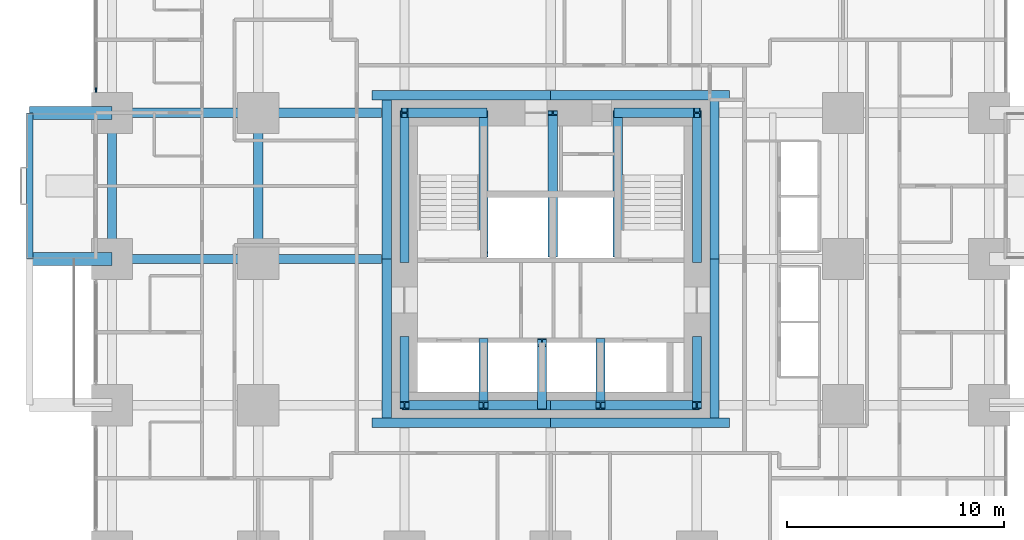
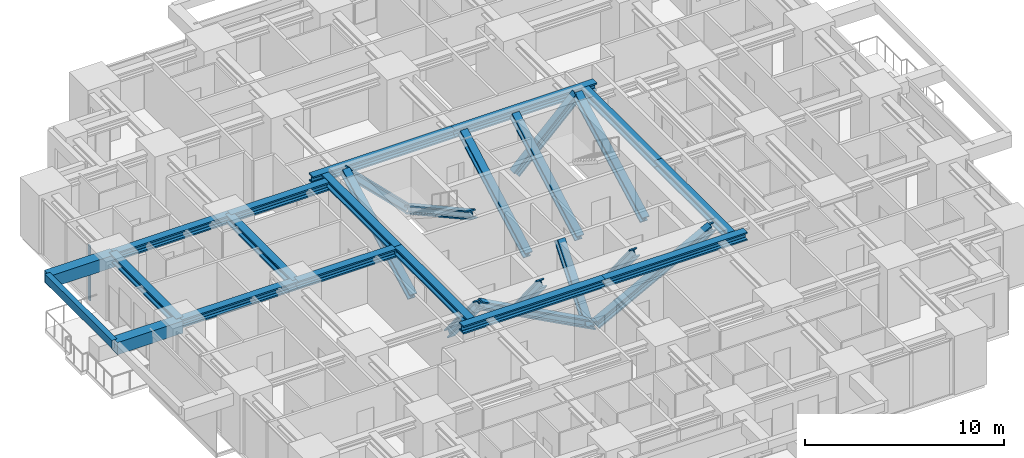
# One storey, part 3 of 14: 17 beams, 15 members, 1 element without a shape of its own.
"""IFC4 building model written with IfcOpenShell, lengths in metres."""

from ifc_helpers import new_model, si_unit, direction, frame, origin, origin_2d, place, context, subcontext, project, spatial, rectangle, i_section, extrude, material, material_profile, profile_set, type_object, element, aggregate, save


model = new_model("IFC4")

# Units and contexts
model_context = context("Model", 3, precision=1e-05, world=origin(), true_north=direction((0.0, 1.0)))
body_context = subcontext(model_context, "Body", "Model", "MODEL_VIEW")
ifc_project = project(units=[si_unit("LENGTHUNIT", "METRE"), si_unit("AREAUNIT", "SQUARE_METRE"), si_unit("VOLUMEUNIT", "CUBIC_METRE"), si_unit("PLANEANGLEUNIT", "RADIAN"), si_unit("MASSUNIT", "GRAM", prefix="KILO")], contexts=[model_context])

# Site, building, storey
site_placement = place(None, origin())
site = spatial("IfcSite", under=ifc_project, at=site_placement, CompositionType="ELEMENT")
building_placement = place(site_placement, origin())
building = spatial("IfcBuilding", under=site, at=building_placement, Name="Nyansa Garden Tower", CompositionType="ELEMENT")
storey_placement = place(building_placement, frame((0.0, 0.0, 43.199951171875)))
storey = spatial("IfcBuildingStorey", under=building, at=storey_placement, Name="L11", CompositionType="ELEMENT", Elevation=43.199951171875)

# Beams
ifc_material_1 = material(Name="Concrete C70/85", Category="concrete")
ifc_material_profile_1 = material_profile(ifc_material_1, rectangle(XDim=0.60009765625, YDim=0.75, at=origin_2d()), Name="RC 600x750")
ifc_profile_set_1 = profile_set([ifc_material_profile_1], Name="Concrete C70/85")
beam_type_1 = type_object("IfcBeamType", Name="Balcony cantilever beam CB1 RC 600x750", PredefinedType="BEAM", material=ifc_profile_set_1)
for number, where, z_axis, x_axis, name in (
    (1, (0.0, 20.25, 2.985107421875), (-1.0, 0.0, 0.0), (0.0, -1.0, 0.0), "Balcony cantilever beam L12"),
    (2, (0.0, 27.0, 2.985107421875), (-1.0, 0.0, 0.0), (0.0, -1.0, 0.0), "Balcony cantilever beam L12"),
):
    element("IfcBeam", number, at=place(storey_placement, frame(where, z_axis=z_axis, x_axis=x_axis)), inside=storey, type_object=beam_type_1, Name=name, PredefinedType="BEAM", context=body_context, shape_type="SweptSolid", body=[
        extrude(rectangle(XDim=0.60009765625, YDim=0.75, at=origin_2d()), origin(), (0.0, 0.0, 1.0), 3.800048828125),
    ])
ifc_material_2 = material(Name="Concrete C70/85", Category="concrete")
ifc_material_profile_2 = material_profile(ifc_material_2, rectangle(XDim=0.300048828125, YDim=0.5, at=origin_2d()), Name="RC 300x500")
ifc_profile_set_2 = profile_set([ifc_material_profile_2], Name="Concrete C70/85")
beam_type_2 = type_object("IfcBeamType", Name="Balcony edge beam BE1 RC 300x500", PredefinedType="BEAM", material=ifc_profile_set_2)
beam_1_placement = place(storey_placement, frame((-3.800048828125, 20.25, 3.110107421875), z_axis=(0.0, 1.0, 0.0), x_axis=(-1.0, 0.0, 0.0)))
element("IfcBeam", 3, at=beam_1_placement, inside=storey, type_object=beam_type_2, Name="Balcony edge beam L12", PredefinedType="BEAM", context=body_context, shape_type="SweptSolid", body=[
    extrude(rectangle(XDim=0.300048828125, YDim=0.5, at=origin_2d()), origin(), (0.0, 0.0, 1.0), 6.75),
])

# Curtain wall, member
ifc_material_3 = material(Name="Black anodised aluminium, dark tinted double glazing", Category="aluminium")
curtain_wall_type = type_object("IfcCurtainWallType", Name="Inner skin curtain wall ISW-A", PredefinedType="USERDEFINED", material=ifc_material_3)
curtain_wall_placement = place(storey_placement, origin())
curtain_wall = element("IfcCurtainWall", 4, at=curtain_wall_placement, inside=storey, type_object=curtain_wall_type, Name="Inner skin curtain wall L11 W", ObjectType="UNITISED CURTAIN WALL", PredefinedType="USERDEFINED")
ifc_material_4 = material(Name="Black anodised aluminium", Category="aluminium")
ifc_material_profile_3 = material_profile(ifc_material_4, rectangle(XDim=0.06494140625, YDim=0.199951171875, at=origin_2d()), Name="Mullion 200x65")
ifc_profile_set_3 = profile_set([ifc_material_profile_3], Name="Black anodised aluminium")
member_type_1 = type_object("IfcMemberType", Name="Mullion ISW-A 200x65", PredefinedType="MULLION", material=ifc_profile_set_3)
member_1_placement = place(storey_placement, frame((-0.75, 28.050048828125, 0.0), z_axis=(0.0, 0.0, 1.0), x_axis=(1.0, 0.0, 0.0)))
member_1 = element("IfcMember", 5, at=member_1_placement, type_object=member_type_1, Name="ISW-A mullion 3", PredefinedType="MULLION", context=body_context, shape_type="SweptSolid", body=[
    extrude(rectangle(XDim=0.06494140625, YDim=0.199951171875, at=origin_2d()), origin(), (0.0, 0.0, 1.0), 3.375),
])
aggregate(curtain_wall, [member_1])

# Members
ifc_material_5 = material(Name="Steel S355", Category="steel")
ifc_material_profile_4 = material_profile(ifc_material_5, i_section(OverallWidth=0.424072265625, OverallDepth=0.47412109375, WebThickness=0.047607421875, FlangeThickness=0.076904296875, FilletRadius=0.014892578125, at=origin_2d()), Name="HD 400x634")
ifc_profile_set_4 = profile_set([ifc_material_profile_4], Name="Steel S355")
member_type_2 = type_object("IfcMemberType", Name="Perimeter brace HD 400x634", PredefinedType="BRACE", material=ifc_profile_set_4)
for number, where, z_axis, x_axis, name in (
    (6, (20.25, 13.5, 0.0), (-0.882347640589, 0.0, 0.47059817376), (0.0, -1.0, 0.0), "Core brace CS1 L11"),
    (7, (20.25, 13.5, 0.0), (0.882347640589, 0.0, 0.47059817376), (0.0, 1.0, 0.0), "Core brace CS2 L11"),
):
    element("IfcMember", number, at=place(storey_placement, frame(where, z_axis=z_axis, x_axis=x_axis)), inside=storey, type_object=member_type_2, Name=name, PredefinedType="BRACE", context=body_context, shape_type="SweptSolid", body=[
        extrude(i_section(OverallWidth=0.424072265625, OverallDepth=0.47412109375, WebThickness=0.047607421875, FlangeThickness=0.076904296875, FilletRadius=0.014892578125, at=origin_2d()), origin(), (0.0, 0.0, 1.0), 7.650146484375),
    ])
for number, where, z_axis, x_axis, name in (
    (8, (17.14990234375, 27.0, 0.0), (-0.711947531702, 0.0, 0.702232662373), (0.0, -1.0, 0.0), "Core brace CN3 L11"),
    (9, (23.35009765625, 27.0, 0.0), (0.711947531702, 0.0, 0.702232662373), (0.0, 1.0, 0.0), "Core brace CN4 L11"),
):
    element("IfcMember", number, at=place(storey_placement, frame(where, z_axis=z_axis, x_axis=x_axis)), inside=storey, type_object=member_type_2, Name=name, PredefinedType="BRACE", context=body_context, shape_type="SweptSolid", body=[
        extrude(i_section(OverallWidth=0.424072265625, OverallDepth=0.47412109375, WebThickness=0.047607421875, FlangeThickness=0.076904296875, FilletRadius=0.014892578125, at=origin_2d()), origin(), (0.0, 0.0, 1.0), 5.126708984375),
    ])
member_2_placement = place(storey_placement, frame((13.5, 16.5, 0.0), z_axis=(0.0, -0.640174150918, 0.768229820104), x_axis=(1.0, 0.0, 0.0)))
element("IfcMember", 10, at=member_2_placement, inside=storey, type_object=member_type_2, Name="Core brace CW5 L11", PredefinedType="BRACE", context=body_context, shape_type="SweptSolid", body=[
    extrude(i_section(OverallWidth=0.424072265625, OverallDepth=0.47412109375, WebThickness=0.047607421875, FlangeThickness=0.076904296875, FilletRadius=0.014892578125, at=origin_2d()), origin(), (0.0, 0.0, 1.0), 4.686279296875),
])
member_3_placement = place(storey_placement, frame((13.5, 20.199951171875, 0.0), z_axis=(0.0, 0.883784057226, 0.467895009796), x_axis=(-1.0, 0.0, 0.0)))
element("IfcMember", 11, at=member_3_placement, inside=storey, type_object=member_type_2, Name="Core brace CW6 L11", PredefinedType="BRACE", context=body_context, shape_type="SweptSolid", body=[
    extrude(i_section(OverallWidth=0.424072265625, OverallDepth=0.47412109375, WebThickness=0.047607421875, FlangeThickness=0.076904296875, FilletRadius=0.014892578125, at=origin_2d()), origin(), (0.0, 0.0, 1.0), 7.6943359375),
])
member_4_placement = place(storey_placement, frame((27.0, 16.5, 0.0), z_axis=(0.0, -0.640174150918, 0.768229820104), x_axis=(1.0, 0.0, 0.0)))
element("IfcMember", 12, at=member_4_placement, inside=storey, type_object=member_type_2, Name="Core brace CE7 L11", PredefinedType="BRACE", context=body_context, shape_type="SweptSolid", body=[
    extrude(i_section(OverallWidth=0.424072265625, OverallDepth=0.47412109375, WebThickness=0.047607421875, FlangeThickness=0.076904296875, FilletRadius=0.014892578125, at=origin_2d()), origin(), (0.0, 0.0, 1.0), 4.686279296875),
])
member_5_placement = place(storey_placement, frame((27.0, 20.199951171875, 0.0), z_axis=(0.0, 0.883784057226, 0.467895009796), x_axis=(-1.0, 0.0, 0.0)))
element("IfcMember", 13, at=member_5_placement, inside=storey, type_object=member_type_2, Name="Core brace CE8 L11", PredefinedType="BRACE", context=body_context, shape_type="SweptSolid", body=[
    extrude(i_section(OverallWidth=0.424072265625, OverallDepth=0.47412109375, WebThickness=0.047607421875, FlangeThickness=0.076904296875, FilletRadius=0.014892578125, at=origin_2d()), origin(), (0.0, 0.0, 1.0), 7.6943359375),
])
for number, where, z_axis, x_axis, name in (
    (14, (17.14990234375, 27.0, 0.0), (0.0, -0.876353113771, 0.481669201822), (1.0, 0.0, 0.0), "Core brace CWS9 L11"),
    (15, (23.35009765625, 20.449951171875, 0.0), (0.0, 0.876353113771, 0.481669201822), (-1.0, 0.0, 0.0), "Core brace CES10 L11"),
):
    element("IfcMember", number, at=place(storey_placement, frame(where, z_axis=z_axis, x_axis=x_axis)), inside=storey, type_object=member_type_2, Name=name, PredefinedType="BRACE", context=body_context, shape_type="SweptSolid", body=[
        extrude(i_section(OverallWidth=0.424072265625, OverallDepth=0.47412109375, WebThickness=0.047607421875, FlangeThickness=0.076904296875, FilletRadius=0.014892578125, at=origin_2d()), origin(), (0.0, 0.0, 1.0), 7.47412109375),
    ])
for number, where, z_axis, x_axis, name in (
    (16, (17.14990234375, 16.39990234375, 0.0), (0.0, -0.627306405886, 0.778772542617), (1.0, 0.0, 0.0), "Core brace CSW11 L11"),
    (17, (19.85009765625, 13.5, 0.0), (0.0, 0.627306405886, 0.778772542617), (-1.0, 0.0, 0.0), "Core brace CSW12 L11"),
    (18, (22.550048828125, 16.39990234375, 0.0), (0.0, -0.627306405886, 0.778772542617), (1.0, 0.0, 0.0), "Core brace CSW13 L11"),
):
    element("IfcMember", number, at=place(storey_placement, frame(where, z_axis=z_axis, x_axis=x_axis)), inside=storey, type_object=member_type_2, Name=name, PredefinedType="BRACE", context=body_context, shape_type="SweptSolid", body=[
        extrude(i_section(OverallWidth=0.424072265625, OverallDepth=0.47412109375, WebThickness=0.047607421875, FlangeThickness=0.076904296875, FilletRadius=0.014892578125, at=origin_2d()), origin(), (0.0, 0.0, 1.0), 4.622802734375),
    ])
member_6_placement = place(storey_placement, frame((20.35009765625, 20.449951171875, 0.0), z_axis=(0.0, 0.876353113771, 0.481669201822), x_axis=(-1.0, 0.0, 0.0)))
element("IfcMember", 19, at=member_6_placement, inside=storey, type_object=member_type_2, Name="Core brace CNW14 L11", PredefinedType="BRACE", context=body_context, shape_type="SweptSolid", body=[
    extrude(i_section(OverallWidth=0.424072265625, OverallDepth=0.47412109375, WebThickness=0.047607421875, FlangeThickness=0.076904296875, FilletRadius=0.014892578125, at=origin_2d()), origin(), (0.0, 0.0, 1.0), 7.47412109375),
])

# Beams
ifc_material_6 = material(Name="Steel S355", Category="steel")
ifc_material_profile_5 = material_profile(ifc_material_6, i_section(OverallWidth=0.431884765625, OverallDepth=0.498046875, WebThickness=0.0556640625, FlangeThickness=0.0888671875, FilletRadius=0.014892578125, at=origin_2d()), Name="HD 400x744")
ifc_profile_set_5 = profile_set([ifc_material_profile_5], Name="Steel S355")
beam_type_3 = type_object("IfcBeamType", Name="Steel beam SBA1-744 HD 400x744", PredefinedType="BEAM", material=ifc_profile_set_5)
for number, where, z_axis, x_axis, name in (
    (20, (0.0, 20.25, 3.1259765625), (1.0, 0.0, 0.0), (0.0, 1.0, 0.0), "Steel beam 2/G-3/G L12"),
    (21, (0.0, 27.0, 3.1259765625), (1.0, 0.0, 0.0), (0.0, 1.0, 0.0), "Steel beam 2/H-3/H L12"),
    (22, (6.75, 20.25, 3.1259765625), (0.0, 1.0, 0.0), (-1.0, 0.0, 0.0), "Steel beam 3/G-3/H L12"),
):
    element("IfcBeam", number, at=place(storey_placement, frame(where, z_axis=z_axis, x_axis=x_axis)), inside=storey, type_object=beam_type_3, Name=name, PredefinedType="BEAM", context=body_context, shape_type="SweptSolid", body=[
        extrude(i_section(OverallWidth=0.431884765625, OverallDepth=0.498046875, WebThickness=0.0556640625, FlangeThickness=0.0888671875, FilletRadius=0.014892578125, at=origin_2d()), origin(), (0.0, 0.0, 1.0), 6.75),
    ])
for number, where, z_axis, x_axis, name in (
    (23, (6.75, 20.25, 3.1259765625), (1.0, 0.0, 0.0), (0.0, 1.0, 0.0), "Steel beam 3/G-12.450/G L12"),
    (24, (6.75, 27.0, 3.1259765625), (1.0, 0.0, 0.0), (0.0, 1.0, 0.0), "Steel beam 3/H-12.450/H L12"),
):
    element("IfcBeam", number, at=place(storey_placement, frame(where, z_axis=z_axis, x_axis=x_axis)), inside=storey, type_object=beam_type_3, Name=name, PredefinedType="BEAM", context=body_context, shape_type="SweptSolid", body=[
        extrude(i_section(OverallWidth=0.431884765625, OverallDepth=0.498046875, WebThickness=0.0556640625, FlangeThickness=0.0888671875, FilletRadius=0.014892578125, at=origin_2d()), origin(), (0.0, 0.0, 1.0), 5.699951171875),
    ])
ifc_material_7 = material(Name="Steel S355", Category="steel")
ifc_material_profile_6 = material_profile(ifc_material_7, i_section(OverallWidth=0.431884765625, OverallDepth=0.498046875, WebThickness=0.0556640625, FlangeThickness=0.0888671875, FilletRadius=0.014892578125, at=origin_2d()), Name="HD 400x744")
ifc_profile_set_6 = profile_set([ifc_material_profile_6], Name="Steel S355")
beam_type_4 = type_object("IfcBeamType", Name="Steel beam SEBA-744 HD 400x744", PredefinedType="BEAM", material=ifc_profile_set_6)
beam_2_placement = place(storey_placement, frame((0.0, 20.25, 3.1259765625), z_axis=(0.0, 1.0, 0.0), x_axis=(-1.0, 0.0, 0.0)))
element("IfcBeam", 25, at=beam_2_placement, inside=storey, type_object=beam_type_4, Name="Steel edge beam 2/G-2/H L12", PredefinedType="BEAM", context=body_context, shape_type="SweptSolid", body=[
    extrude(i_section(OverallWidth=0.431884765625, OverallDepth=0.498046875, WebThickness=0.0556640625, FlangeThickness=0.0888671875, FilletRadius=0.014892578125, at=origin_2d()), origin(), (0.0, 0.0, 1.0), 6.75),
])
ifc_material_8 = material(Name="Steel S355", Category="steel")
ifc_material_profile_7 = material_profile(ifc_material_8, i_section(OverallWidth=0.431884765625, OverallDepth=0.498046875, WebThickness=0.0556640625, FlangeThickness=0.0888671875, FilletRadius=0.014892578125, at=origin_2d()), Name="HD 400x744")
ifc_profile_set_7 = profile_set([ifc_material_profile_7], Name="Steel S355")
beam_type_5 = type_object("IfcBeamType", Name="Steel beam SLB1-744 HD 400x744", PredefinedType="BEAM", material=ifc_profile_set_7)
for number, where, z_axis, x_axis, name in (
    (26, (12.0, 12.68408203125, 3.1259765625), (1.0, 0.0, 0.0), (0.0, 1.0, 0.0), "Steel core ledger beam S.1 L12"),
    (27, (20.25, 12.68408203125, 3.1259765625), (1.0, 0.0, 0.0), (0.0, 1.0, 0.0), "Steel core ledger beam S.2 L12"),
):
    element("IfcBeam", number, at=place(storey_placement, frame(where, z_axis=z_axis, x_axis=x_axis)), inside=storey, type_object=beam_type_5, Name=name, PredefinedType="BEAM", context=body_context, shape_type="SweptSolid", body=[
        extrude(i_section(OverallWidth=0.431884765625, OverallDepth=0.498046875, WebThickness=0.0556640625, FlangeThickness=0.0888671875, FilletRadius=0.014892578125, at=origin_2d()), origin(), (0.0, 0.0, 1.0), 8.25),
    ])
for number, where, z_axis, x_axis, name in (
    (28, (27.81591796875, 12.89990234375, 3.1259765625), (0.0, 1.0, 0.0), (-1.0, 0.0, 0.0), "Steel core ledger beam E.1 L12"),
    (29, (27.81591796875, 20.25, 3.1259765625), (0.0, 1.0, 0.0), (-1.0, 0.0, 0.0), "Steel core ledger beam E.2 L12"),
):
    element("IfcBeam", number, at=place(storey_placement, frame(where, z_axis=z_axis, x_axis=x_axis)), inside=storey, type_object=beam_type_5, Name=name, PredefinedType="BEAM", context=body_context, shape_type="SweptSolid", body=[
        extrude(i_section(OverallWidth=0.431884765625, OverallDepth=0.498046875, WebThickness=0.0556640625, FlangeThickness=0.0888671875, FilletRadius=0.014892578125, at=origin_2d()), origin(), (0.0, 0.0, 1.0), 7.35009765625),
    ])
for number, where, z_axis, x_axis, name in (
    (30, (28.5, 27.81591796875, 3.1259765625), (-1.0, 0.0, 0.0), (0.0, -1.0, 0.0), "Steel core ledger beam N.1 L12"),
    (31, (20.25, 27.81591796875, 3.1259765625), (-1.0, 0.0, 0.0), (0.0, -1.0, 0.0), "Steel core ledger beam N.2 L12"),
):
    element("IfcBeam", number, at=place(storey_placement, frame(where, z_axis=z_axis, x_axis=x_axis)), inside=storey, type_object=beam_type_5, Name=name, PredefinedType="BEAM", context=body_context, shape_type="SweptSolid", body=[
        extrude(i_section(OverallWidth=0.431884765625, OverallDepth=0.498046875, WebThickness=0.0556640625, FlangeThickness=0.0888671875, FilletRadius=0.014892578125, at=origin_2d()), origin(), (0.0, 0.0, 1.0), 8.25),
    ])
for number, where, z_axis, x_axis, name in (
    (32, (12.68408203125, 27.60009765625, 3.1259765625), (0.0, -1.0, 0.0), (1.0, 0.0, 0.0), "Steel core ledger beam W.1 L12"),
    (33, (12.68408203125, 20.25, 3.1259765625), (0.0, -1.0, 0.0), (1.0, 0.0, 0.0), "Steel core ledger beam W.2 L12"),
):
    element("IfcBeam", number, at=place(storey_placement, frame(where, z_axis=z_axis, x_axis=x_axis)), inside=storey, type_object=beam_type_5, Name=name, PredefinedType="BEAM", context=body_context, shape_type="SweptSolid", body=[
        extrude(i_section(OverallWidth=0.431884765625, OverallDepth=0.498046875, WebThickness=0.0556640625, FlangeThickness=0.0888671875, FilletRadius=0.014892578125, at=origin_2d()), origin(), (0.0, 0.0, 1.0), 7.35009765625),
    ])

save(model, "model.ifc")
